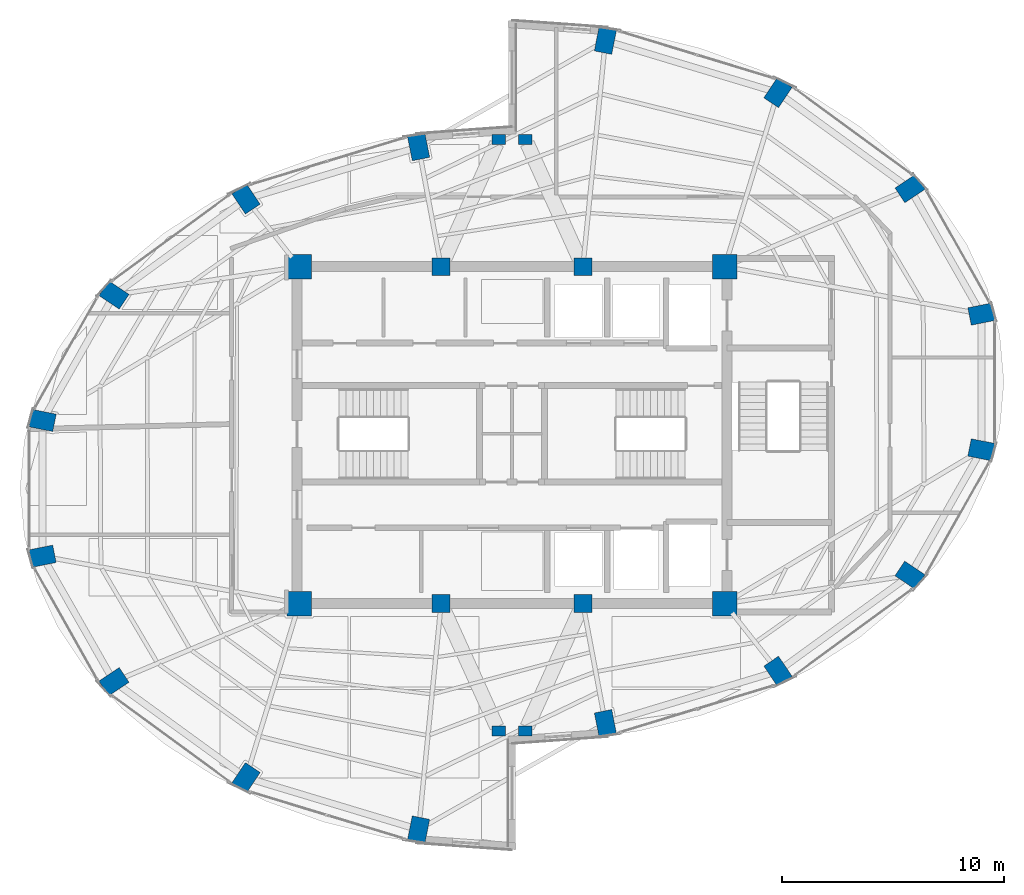
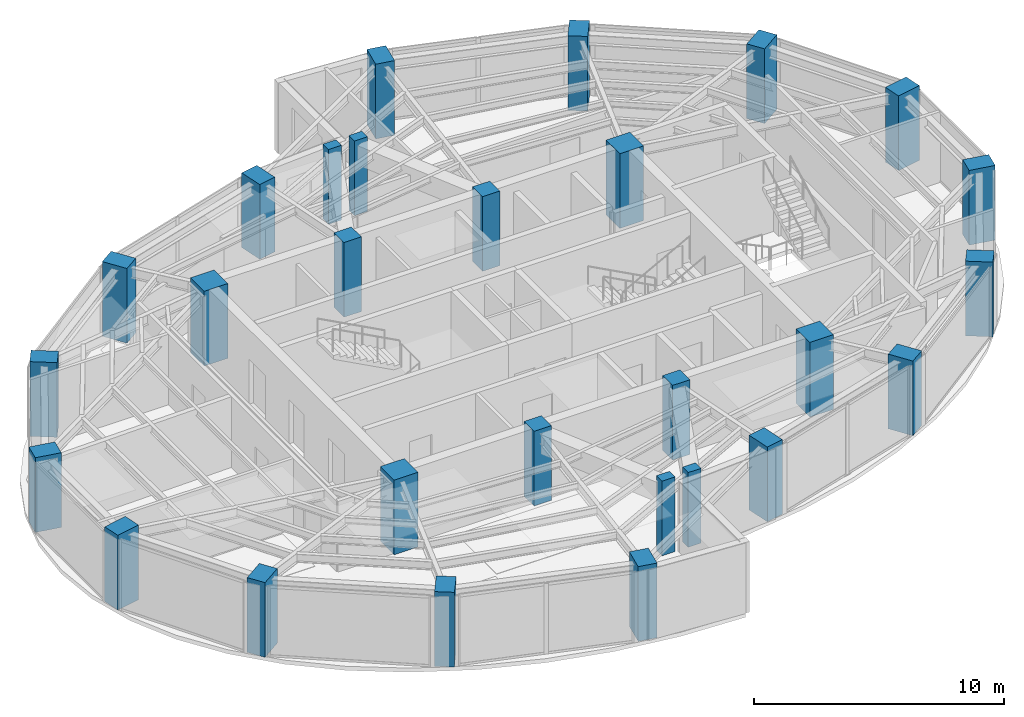
# One storey, part 1 of 23: 28 columns.
"""IFC4 building model written with IfcOpenShell, lengths in metres."""

from ifc_helpers import new_model, si_unit, direction, frame, origin, origin_2d, place, context, subcontext, project, spatial, rectangle, extrude, material, material_profile, profile_set, type_object, element, save


model = new_model("IFC4")

# Units and contexts
model_context = context("Model", 3, precision=1e-05, world=origin(), true_north=direction((0.0, 1.0)))
body_context = subcontext(model_context, "Body", "Model", "MODEL_VIEW")
ifc_project = project(units=[si_unit("LENGTHUNIT", "METRE"), si_unit("AREAUNIT", "SQUARE_METRE"), si_unit("VOLUMEUNIT", "CUBIC_METRE"), si_unit("PLANEANGLEUNIT", "RADIAN"), si_unit("MASSUNIT", "GRAM", prefix="KILO")], contexts=[model_context])

# Site, building, storey
site_placement = place(None, origin())
site = spatial("IfcSite", under=ifc_project, at=site_placement, CompositionType="ELEMENT")
building_placement = place(site_placement, origin())
building = spatial("IfcBuilding", under=site, at=building_placement, Name="Lazwardi Medical Tower", CompositionType="ELEMENT")
storey_placement = place(building_placement, frame((0.0, 0.0, 234.9599609375)))
storey = spatial("IfcBuildingStorey", under=building, at=storey_placement, Name="L61", CompositionType="ELEMENT", Elevation=234.9599609375)

# Columns
ifc_material_1 = material(Name="Concrete C80/95", Category="concrete")
ifc_material_profile_1 = material_profile(ifc_material_1, rectangle(XDim=1.10009765625, YDim=1.10009765625, at=origin_2d()), Name="RC 1100x1100")
ifc_profile_set_1 = profile_set([ifc_material_profile_1], Name="Concrete C80/95")
column_type_1 = type_object("IfcColumnType", Name="COL-CC-L", PredefinedType="COLUMN", material=ifc_profile_set_1)
for number, where, z_axis, x_axis, name in (
    (1, (26.39990234375, 20.39990234375, 0.0), (0.0, 0.0, 1.0), (1.0, 0.0, 0.0), "Core column CC-01 CC1 L61"),
    (2, (45.60009765625, 20.39990234375, 0.0), (0.0, 0.0, 1.0), (1.0, 0.0, 0.0), "Core column CC-01 CC4 L61"),
    (3, (45.60009765625, 35.60009765625, 0.0), (0.0, 0.0, 1.0), (1.0, 0.0, 0.0), "Core column CC-01 CC5 L61"),
    (4, (26.39990234375, 35.60009765625, 0.0), (0.0, 0.0, 1.0), (1.0, 0.0, 0.0), "Core column CC-01 CC8 L61"),
):
    element("IfcColumn", number, at=place(storey_placement, frame(where, z_axis=z_axis, x_axis=x_axis)), inside=storey, type_object=column_type_1, Name=name, PredefinedType="COLUMN", context=body_context, shape_type="SweptSolid", body=[
        extrude(rectangle(XDim=1.10009765625, YDim=1.10009765625, at=origin_2d()), origin(), (0.0, 0.0, 1.0), 3.64794921875),
    ])
ifc_material_2 = material(Name="Concrete C60/75", Category="concrete")
ifc_material_profile_2 = material_profile(ifc_material_2, rectangle(XDim=0.800048828125, YDim=0.800048828125, at=origin_2d()), Name="RC 800x800")
ifc_profile_set_2 = profile_set([ifc_material_profile_2], Name="Concrete C60/75")
column_type_2 = type_object("IfcColumnType", Name="COL-CC-U", PredefinedType="COLUMN", material=ifc_profile_set_2)
for number, where, z_axis, x_axis, name in (
    (5, (32.800048828125, 20.39990234375, 0.0), (0.0, 0.0, 1.0), (1.0, 0.0, 0.0), "Core column CC-03 CC2 L61"),
    (6, (39.199951171875, 20.39990234375, 0.0), (0.0, 0.0, 1.0), (1.0, 0.0, 0.0), "Core column CC-03 CC3 L61"),
    (7, (39.199951171875, 35.60009765625, 0.0), (0.0, 0.0, 1.0), (1.0, 0.0, 0.0), "Core column CC-03 CC6 L61"),
    (8, (32.800048828125, 35.60009765625, 0.0), (0.0, 0.0, 1.0), (1.0, 0.0, 0.0), "Core column CC-03 CC7 L61"),
):
    element("IfcColumn", number, at=place(storey_placement, frame(where, z_axis=z_axis, x_axis=x_axis)), inside=storey, type_object=column_type_2, Name=name, PredefinedType="COLUMN", context=body_context, shape_type="SweptSolid", body=[
        extrude(rectangle(XDim=0.800048828125, YDim=0.800048828125, at=origin_2d()), origin(), (0.0, 0.0, 1.0), 3.64794921875),
    ])
ifc_material_profile_3 = material_profile(ifc_material_2, rectangle(XDim=1.10009765625, YDim=0.800048828125, at=origin_2d()), Name="CFT-RECT 1100x800")
ifc_profile_set_3 = profile_set([ifc_material_profile_3], Name="Concrete C60/75")
column_type_3 = type_object("IfcColumnType", Name="COL-MC-Z4", PredefinedType="COLUMN", material=ifc_profile_set_3)
for number, where, z_axis, x_axis, name in (
    (9, (40.214111328125, 15.001708984375, 0.0), (0.0, 0.0, 1.0), (0.195090322016, -0.980785280403, 0.0), "Mega column MC-06 M01 L61"),
    (10, (48.000244140625, 17.345947265625, 0.0), (0.0, 0.0, 1.0), (0.55557023302, -0.831469612303, 0.0), "Mega column MC-06 M02 L61"),
    (11, (53.959716796875, 21.677490234375, 0.0), (0.0, 0.0, 1.0), (0.831469612303, -0.55557023302, 0.0), "Mega column MC-06 M03 L61"),
    (12, (57.18505859375, 27.337158203125, 0.0), (0.0, 0.0, 1.0), (0.980785280403, -0.195090322016, 0.0), "Mega column MC-06 M04 L61"),
    (13, (57.18505859375, 33.462890625, 0.0), (0.0, 0.0, 1.0), (0.980785280403, 0.195090322016, 0.0), "Mega column MC-06 M05 L61"),
    (14, (53.959716796875, 39.12255859375, 0.0), (0.0, 0.0, 1.0), (0.831469612303, 0.55557023302, 0.0), "Mega column MC-06 M06 L61"),
    (15, (48.000244140625, 43.4541015625, 0.0), (0.0, 0.0, 1.0), (0.55557023302, 0.831469612303, 0.0), "Mega column MC-06 M07 L61"),
    (16, (40.214111328125, 45.79833984375, 0.0), (0.0, 0.0, 1.0), (0.195090322016, 0.980785280403, 0.0), "Mega column MC-06 M08 L61"),
    (17, (31.785888671875, 40.998291015625, 0.0), (0.0, 0.0, 1.0), (-0.195090322016, 0.980785280403, 0.0), "Mega column MC-06 M09 L61"),
    (18, (23.999755859375, 38.654052734375, 0.0), (0.0, 0.0, 1.0), (-0.55557023302, 0.831469612303, 0.0), "Mega column MC-06 M10 L61"),
    (19, (18.040283203125, 34.322509765625, 0.0), (0.0, 0.0, 1.0), (-0.831469612303, 0.55557023302, 0.0), "Mega column MC-06 M11 L61"),
    (20, (14.81494140625, 28.662841796875, 0.0), (0.0, 0.0, 1.0), (-0.980785280403, 0.195090322016, 0.0), "Mega column MC-06 M12 L61"),
    (21, (14.81494140625, 22.537109375, 0.0), (0.0, 0.0, 1.0), (-0.980785280403, -0.195090322016, 0.0), "Mega column MC-06 M13 L61"),
    (22, (18.040283203125, 16.87744140625, 0.0), (0.0, 0.0, 1.0), (-0.831469612303, -0.55557023302, 0.0), "Mega column MC-06 M14 L61"),
    (23, (23.999755859375, 12.5458984375, 0.0), (0.0, 0.0, 1.0), (-0.55557023302, -0.831469612303, 0.0), "Mega column MC-06 M15 L61"),
    (24, (31.785888671875, 10.20166015625, 0.0), (0.0, 0.0, 1.0), (-0.195090322016, -0.980785280403, 0.0), "Mega column MC-06 M16 L61"),
):
    element("IfcColumn", number, at=place(storey_placement, frame(where, z_axis=z_axis, x_axis=x_axis)), inside=storey, type_object=column_type_3, Name=name, PredefinedType="COLUMN", context=body_context, shape_type="SweptSolid", body=[
        extrude(rectangle(XDim=1.10009765625, YDim=0.800048828125, at=origin_2d()), origin(), (0.0, 0.0, 1.0), 3.64794921875),
    ])
ifc_material_profile_4 = material_profile(ifc_material_2, rectangle(XDim=0.60009765625, YDim=0.449951171875, at=origin_2d()), Name="RC 600x450")
ifc_profile_set_4 = profile_set([ifc_material_profile_4], Name="Concrete C60/75")
column_type_4 = type_object("IfcColumnType", Name="COL-PL-IW", PredefinedType="PILASTER", material=ifc_profile_set_4)
for number, where, z_axis, x_axis, name in (
    (25, (35.39990234375, 41.35009765625, 0.0), (0.0, 0.0, 1.0), (1.0, 0.0, 0.0), "Iwan pilaster column PL-C1 PL1 L61"),
    (26, (36.60009765625, 41.35009765625, 0.0), (0.0, 0.0, 1.0), (1.0, 0.0, 0.0), "Iwan pilaster column PL-C1 PL2 L61"),
    (27, (35.39990234375, 14.64990234375, 0.0), (0.0, 0.0, 1.0), (1.0, 0.0, 0.0), "Iwan pilaster column PL-C1 PL3 L61"),
    (28, (36.60009765625, 14.64990234375, 0.0), (0.0, 0.0, 1.0), (1.0, 0.0, 0.0), "Iwan pilaster column PL-C1 PL4 L61"),
):
    element("IfcColumn", number, at=place(storey_placement, frame(where, z_axis=z_axis, x_axis=x_axis)), inside=storey, type_object=column_type_4, Name=name, PredefinedType="PILASTER", context=body_context, shape_type="SweptSolid", body=[
        extrude(rectangle(XDim=0.60009765625, YDim=0.449951171875, at=origin_2d()), origin(), (0.0, 0.0, 1.0), 3.64794921875),
    ])

save(model, "model.ifc")
